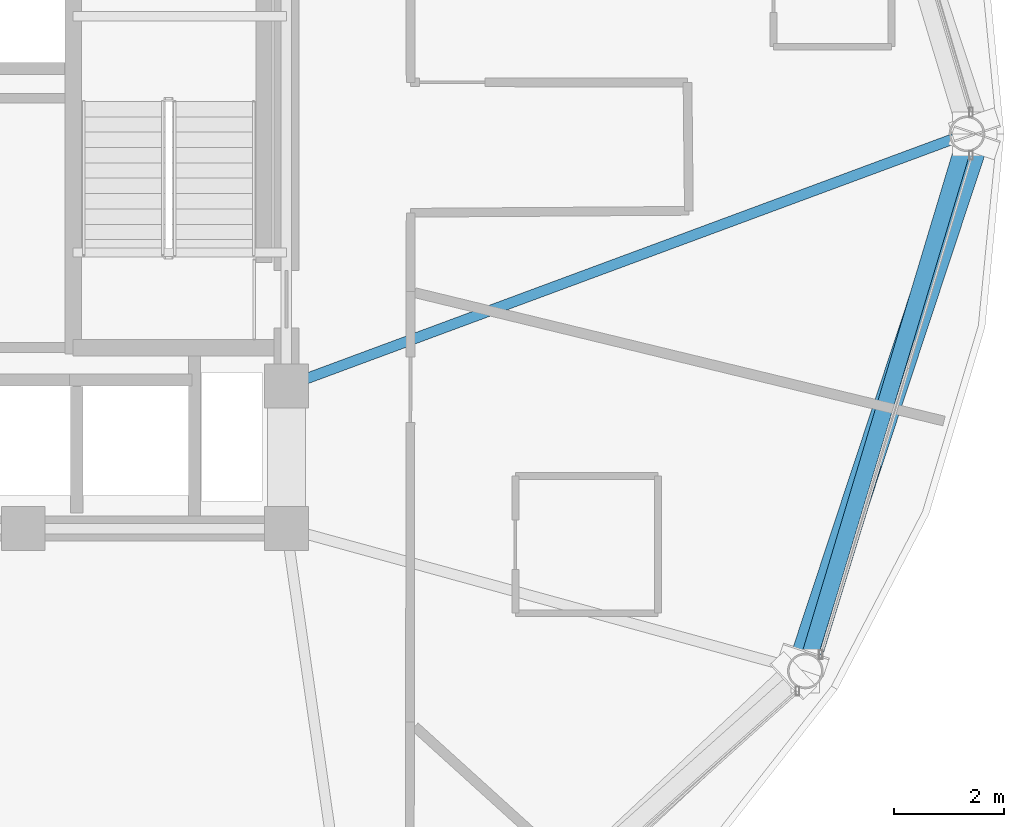
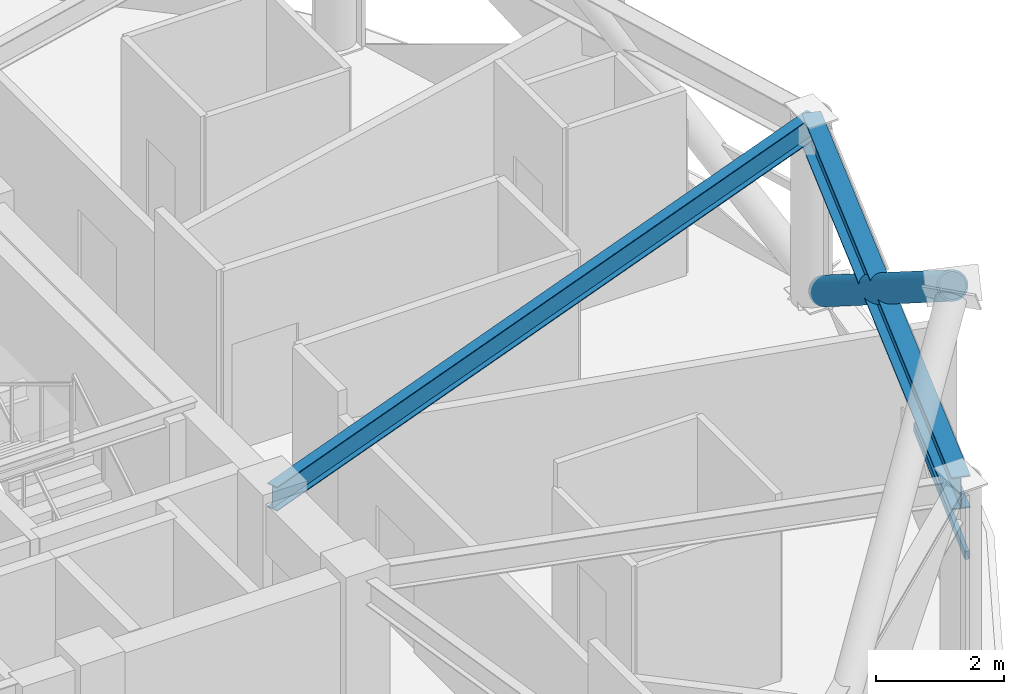
# One storey, part 12 of 29: 2 beams, 2 members, 1 element without a shape of its own.
"""IFC4 building model written with IfcOpenShell, lengths in metres."""

from ifc_helpers import new_model, si_unit, direction, frame, origin, origin_2d, place, context, subcontext, project, spatial, hollow_rectangle, hollow_circle, i_section, extrude, material, layer, layer_set, material_profile, profile_set, type_object, element, aggregate, save


model = new_model("IFC4")

# Units and contexts
model_context = context("Model", 3, precision=1e-05, world=origin(), true_north=direction((0.0, 1.0)))
body_context = subcontext(model_context, "Body", "Model", "MODEL_VIEW")
ifc_project = project(units=[si_unit("LENGTHUNIT", "METRE"), si_unit("AREAUNIT", "SQUARE_METRE"), si_unit("VOLUMEUNIT", "CUBIC_METRE"), si_unit("PLANEANGLEUNIT", "RADIAN"), si_unit("MASSUNIT", "GRAM", prefix="KILO")], contexts=[model_context])

# Site, building, storey
site_placement = place(None, origin())
site = spatial("IfcSite", under=ifc_project, at=site_placement, CompositionType="ELEMENT")
building_placement = place(site_placement, origin())
building = spatial("IfcBuilding", under=site, at=building_placement, Name="Vantalir Tower", CompositionType="ELEMENT")
storey_placement = place(building_placement, frame((0.0, 0.0, 227.39990234375)))
storey = spatial("IfcBuildingStorey", under=building, at=storey_placement, Name="L57", CompositionType="ELEMENT", Elevation=227.39990234375)

# Beams
ifc_material_1 = material(Name="Steel S355", Category="steel")
ifc_material_profile_1 = material_profile(ifc_material_1, i_section(OverallWidth=0.19189453125, OverallDepth=0.462890625, WebThickness=0.010498046875, FlangeThickness=0.017578125, at=origin_2d()), Name="Steel S355")
ifc_profile_set_1 = profile_set([ifc_material_profile_1], Name="Steel S355")
beam_type_1 = type_object("IfcBeamType", Name="BM-RB-457x191", PredefinedType="BEAM", material=ifc_profile_set_1)
beam_1_placement = place(storey_placement, frame((53.512939453125, 25.0, 3.338134765625), z_axis=(-0.937681112374, -0.34749695178, 0.0), x_axis=(0.34749695178, -0.937681112374, 0.0)))
element("IfcBeam", 1, at=beam_1_placement, inside=storey, type_object=beam_type_1, Name="L57 Radial Floor Beam 01", PredefinedType="BEAM", context=body_context, shape_type="SweptSolid", body=[
    extrude(i_section(OverallWidth=0.19189453125, OverallDepth=0.462890625, WebThickness=0.010498046875, FlangeThickness=0.017578125, at=origin_2d()), origin(), (0.0, 0.0, 1.0), 13.23779296875),
])
ifc_material_2 = material(Name="Steel S460", Category="steel")
ifc_material_profile_2 = material_profile(ifc_material_2, i_section(OverallWidth=0.306884765625, OverallDepth=0.6201171875, WebThickness=0.01416015625, FlangeThickness=0.023681640625, at=origin_2d()), Name="Steel S460")
ifc_profile_set_2 = profile_set([ifc_material_profile_2], Name="Steel S460")
beam_type_2 = type_object("IfcBeamType", Name="BM-RG-610x305", PredefinedType="USERDEFINED", material=ifc_profile_set_2)
beam_2_placement = place(storey_placement, frame((50.56396484375, 15.201904296875, 3.260009765625), z_axis=(0.288203662464, 0.957569135333, 0.0), x_axis=(-0.957569135333, 0.288203662464, 0.0)))
element("IfcBeam", 2, at=beam_2_placement, inside=storey, type_object=beam_type_2, Name="L57 Circumferential Ring Girder 12", ObjectType="GIRDER", PredefinedType="USERDEFINED", context=body_context, shape_type="SweptSolid", body=[
    extrude(i_section(OverallWidth=0.306884765625, OverallDepth=0.6201171875, WebThickness=0.01416015625, FlangeThickness=0.023681640625, at=origin_2d()), origin(), (0.0, 0.0, 1.0), 10.232177734375),
])

# Curtain wall, member
ifc_material_3 = material(Name="Champagne-silver PVDF aluminium and double-silver Low-E glass", Category="aluminium")
ifc_layer = layer(ifc_material_3, 0.2099609375)
ifc_layer_set = layer_set([ifc_layer], Name="Champagne-silver PVDF aluminium and double-silver Low-E glass")
curtain_wall_type = type_object("IfcCurtainWallType", Name="CW-DIAMOND-Z3", PredefinedType="USERDEFINED", material=ifc_layer_set)
curtain_wall_placement = place(storey_placement, origin())
curtain_wall = element("IfcCurtainWall", 3, at=curtain_wall_placement, inside=storey, type_object=curtain_wall_type, Name="L57 Quilted Pyramid-Diamond Curtain Wall S12", ObjectType="UNITISED CURTAIN WALL", PredefinedType="USERDEFINED")
ifc_material_4 = material(Name="Champagne-silver PVDF aluminium 6063-T6", Category="aluminium")
ifc_material_profile_3 = material_profile(ifc_material_4, hollow_rectangle(XDim=0.074951171875, YDim=0.159912109375, WallThickness=0.00390625, at=origin_2d()), Name="Champagne-silver PVDF aluminium 6063-T6")
ifc_profile_set_3 = profile_set([ifc_material_profile_3], Name="Champagne-silver PVDF aluminium 6063-T6")
member_type_1 = type_object("IfcMemberType", Name="CWT-160x75", PredefinedType="USERDEFINED", material=ifc_profile_set_3)
member_1_placement = place(storey_placement, frame((50.845947265625, 15.5, 1.78515625), z_axis=(0.294380131047, 0.955688410751, 0.0), x_axis=(-0.955688410751, 0.294380131047, 0.0)))
member_1 = element("IfcMember", 4, at=member_1_placement, type_object=member_type_1, Name="CW-L57-S12 Pyramid Fold Ridge Transom", ObjectType="TRANSOM", PredefinedType="USERDEFINED", context=body_context, shape_type="SweptSolid", body=[
    extrude(hollow_rectangle(XDim=0.074951171875, YDim=0.159912109375, WallThickness=0.00390625, at=origin_2d()), origin(), (0.0, 0.0, 1.0), 3.6142578125),
])
aggregate(curtain_wall, [member_1])

# Member
ifc_material_profile_4 = material_profile(ifc_material_2, hollow_circle(Radius=0.25, WallThickness=0.031982421875, at=origin_2d()), Name="Steel S460")
ifc_profile_set_4 = profile_set([ifc_material_profile_4], Name="Steel S460")
member_type_2 = type_object("IfcMemberType", Name="MEM-DB-500x32", PredefinedType="BRACE", material=ifc_profile_set_4)
member_2_placement = place(storey_placement, frame((53.64599609375, 24.8291015625, 0.2060546875), z_axis=(-0.257730411654, -0.779168528846, 0.571376792113), x_axis=(0.949409109171, -0.314041945325, 0.0)))
element("IfcMember", 5, at=member_2_placement, inside=storey, type_object=member_type_2, Name="L57 Perimeter S460 Diagrid Brace R01R", PredefinedType="BRACE", context=body_context, shape_type="SweptSolid", body=[
    extrude(hollow_circle(Radius=0.25, WallThickness=0.031982421875, at=origin_2d()), origin(), (0.0, 0.0, 1.0), 12.090087890625),
])

save(model, "model.ifc")
